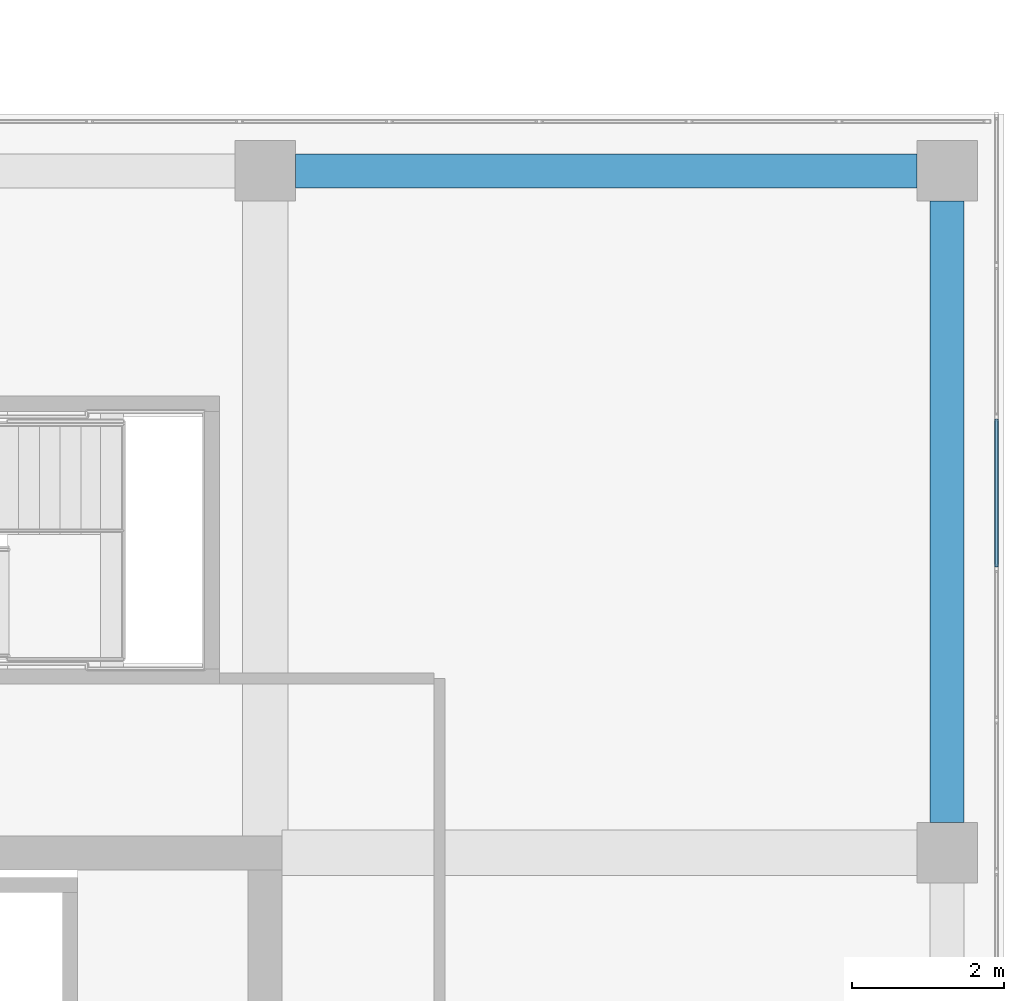
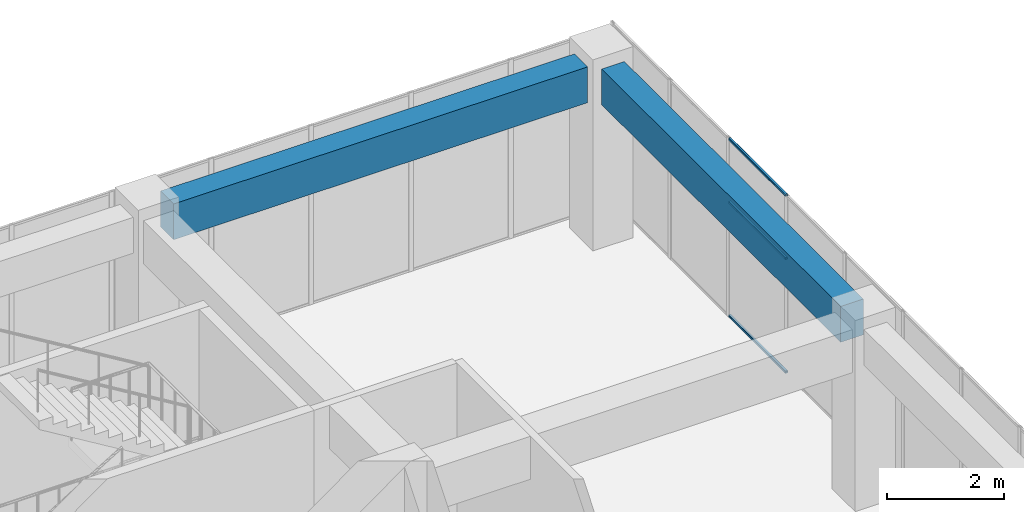
# One storey, part 44 of 66: 3 members, 2 beams, 1 element without a shape of its own.
"""IFC4 building model written with IfcOpenShell, lengths in metres."""

from ifc_helpers import new_model, si_unit, direction, frame, origin, origin_2d, place, context, subcontext, project, spatial, rectangle, hollow_rectangle, extrude, material, layer, layer_set, material_profile, profile_set, type_object, element, aggregate, save


model = new_model("IFC4")

# Units and contexts
model_context = context("Model", 3, precision=1e-05, world=origin(), true_north=direction((0.0, 1.0)))
body_context = subcontext(model_context, "Body", "Model", "MODEL_VIEW")
ifc_project = project(units=[si_unit("LENGTHUNIT", "METRE"), si_unit("AREAUNIT", "SQUARE_METRE"), si_unit("VOLUMEUNIT", "CUBIC_METRE"), si_unit("PLANEANGLEUNIT", "RADIAN"), si_unit("MASSUNIT", "GRAM", prefix="KILO")], contexts=[model_context])

# Site, building, storey
site_placement = place(None, origin())
site = spatial("IfcSite", under=ifc_project, at=site_placement, CompositionType="ELEMENT")
building_placement = place(site_placement, origin())
building = spatial("IfcBuilding", under=site, at=building_placement, Name="Tuart Plaza Theatre", CompositionType="ELEMENT")
storey_placement = place(building_placement, frame((0.0, 0.0, 5.5)))
storey = spatial("IfcBuildingStorey", under=building, at=storey_placement, Name="L01", CompositionType="ELEMENT", Elevation=5.5)

# Beams
ifc_material_1 = material(Name="Concrete N40 (40 MPa)", Category="concrete")
ifc_material_profile_1 = material_profile(ifc_material_1, rectangle(XDim=0.449951171875, YDim=0.75, at=origin_2d()), Name="BEAM 450x750 Concrete N40 (40 MPa)")
ifc_profile_set_1 = profile_set([ifc_material_profile_1], Name="Concrete N40 (40 MPa)")
beam_type = type_object("IfcBeamType", Name="BEAM 450x750 Concrete N40 (40 MPa)", PredefinedType="BEAM", material=ifc_profile_set_1)
for number, where, z_axis, x_axis, name in (
    (1, (141.39990234375, 92.0, 3.375), (1.0, 0.0, 0.0), (0.0, 1.0, 0.0), "RB193"),
    (2, (150.0, 83.39990234375, 3.375), (0.0, 1.0, 0.0), (-1.0, 0.0, 0.0), "RB201"),
):
    element("IfcBeam", number, at=place(storey_placement, frame(where, z_axis=z_axis, x_axis=x_axis)), inside=storey, type_object=beam_type, Name=name, PredefinedType="BEAM", context=body_context, shape_type="SweptSolid", body=[
        extrude(rectangle(XDim=0.449951171875, YDim=0.75, at=origin_2d()), origin(), (0.0, 0.0, 1.0), 8.2001953125),
    ])

# Curtain wall, members
ifc_material_2 = material(Name="Aluminium and glass", Category="aluminium")
ifc_layer = layer(ifc_material_2, 0.10009765625)
ifc_layer_set = layer_set([ifc_layer], Name="CURTAIN WALL 2000 module")
curtain_wall_type = type_object("IfcCurtainWallType", Name="CURTAIN WALL 2000 module", PredefinedType="NOTDEFINED", material=ifc_layer_set)
curtain_wall_placement = place(storey_placement, origin())
curtain_wall = element("IfcCurtainWall", 3, at=curtain_wall_placement, inside=storey, type_object=curtain_wall_type, Name="CW69", PredefinedType="NOTDEFINED")
ifc_material_3 = material(Name="Aluminium 6063-T5", Category="aluminium")
ifc_material_profile_2 = material_profile(ifc_material_3, hollow_rectangle(XDim=0.050048828125, YDim=0.050048828125, WallThickness=0.00390625, InnerFilletRadius=0.00390625, OuterFilletRadius=0.008056640625, at=origin_2d()), Name="RHS 50x50x4")
ifc_profile_set_2 = profile_set([ifc_material_profile_2], Name="Aluminium 6063-T5")
member_type = type_object("IfcMemberType", Name="TRANSOM RHS 50x50x4", PredefinedType="USERDEFINED", material=ifc_profile_set_2)
member_1_placement = place(storey_placement, frame((150.64990234375, 86.77490234375, 0.02490234375), z_axis=(0.0, 1.0, 0.0), x_axis=(-1.0, 0.0, 0.0)))
member_1 = element("IfcMember", 4, at=member_1_placement, type_object=member_type, Name="CW69 transom 19.1", ObjectType="TRANSOM", PredefinedType="USERDEFINED", context=body_context, shape_type="SweptSolid", body=[
    extrude(hollow_rectangle(XDim=0.050048828125, YDim=0.050048828125, WallThickness=0.00390625, InnerFilletRadius=0.00390625, OuterFilletRadius=0.008056640625, at=origin_2d()), origin(), (0.0, 0.0, 1.0), 1.9501953125),
])
member_2_placement = place(storey_placement, frame((150.64990234375, 86.77490234375, 2.39990234375), z_axis=(0.0, 1.0, 0.0), x_axis=(-1.0, 0.0, 0.0)))
member_2 = element("IfcMember", 5, at=member_2_placement, type_object=member_type, Name="CW69 transom 19.2", ObjectType="TRANSOM", PredefinedType="USERDEFINED", context=body_context, shape_type="SweptSolid", body=[
    extrude(hollow_rectangle(XDim=0.050048828125, YDim=0.050048828125, WallThickness=0.00390625, InnerFilletRadius=0.00390625, OuterFilletRadius=0.008056640625, at=origin_2d()), origin(), (0.0, 0.0, 1.0), 1.9501953125),
])
member_3_placement = place(storey_placement, frame((150.64990234375, 86.77490234375, 3.72509765625), z_axis=(0.0, 1.0, 0.0), x_axis=(-1.0, 0.0, 0.0)))
member_3 = element("IfcMember", 6, at=member_3_placement, type_object=member_type, Name="CW69 transom 19.3", ObjectType="TRANSOM", PredefinedType="USERDEFINED", context=body_context, shape_type="SweptSolid", body=[
    extrude(hollow_rectangle(XDim=0.050048828125, YDim=0.050048828125, WallThickness=0.00390625, InnerFilletRadius=0.00390625, OuterFilletRadius=0.008056640625, at=origin_2d()), origin(), (0.0, 0.0, 1.0), 1.9501953125),
])
aggregate(curtain_wall, [member_1, member_2, member_3])

save(model, "model.ifc")
